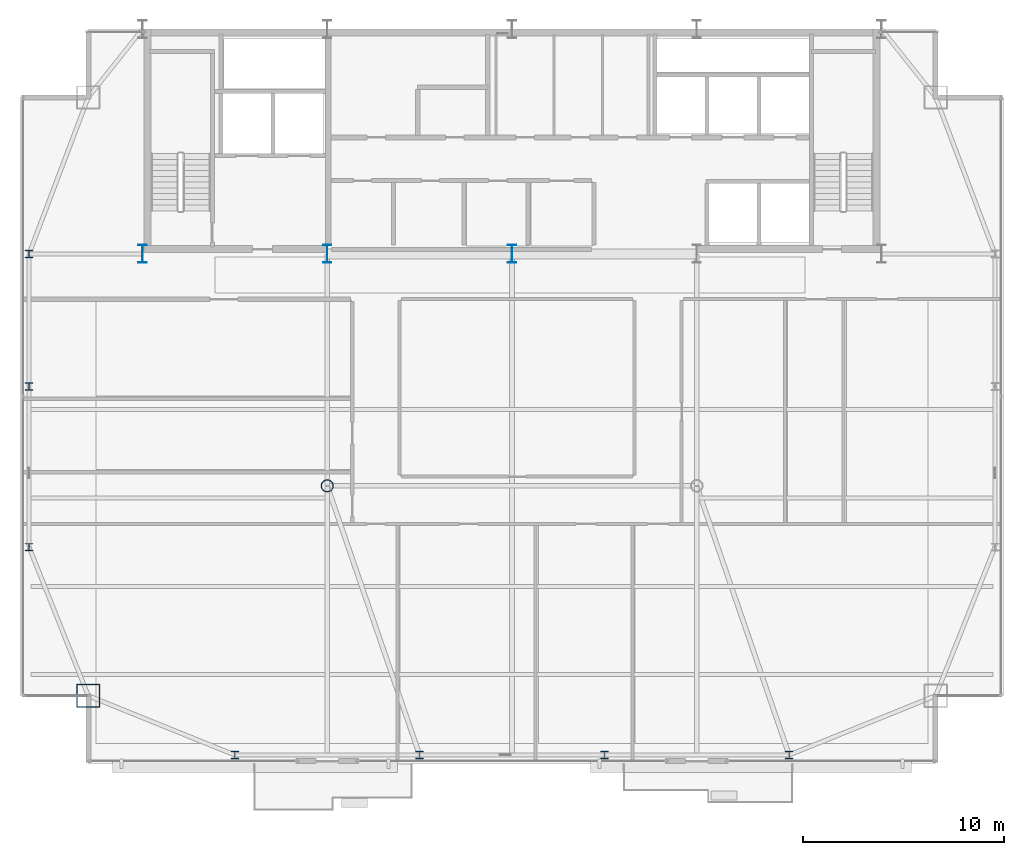
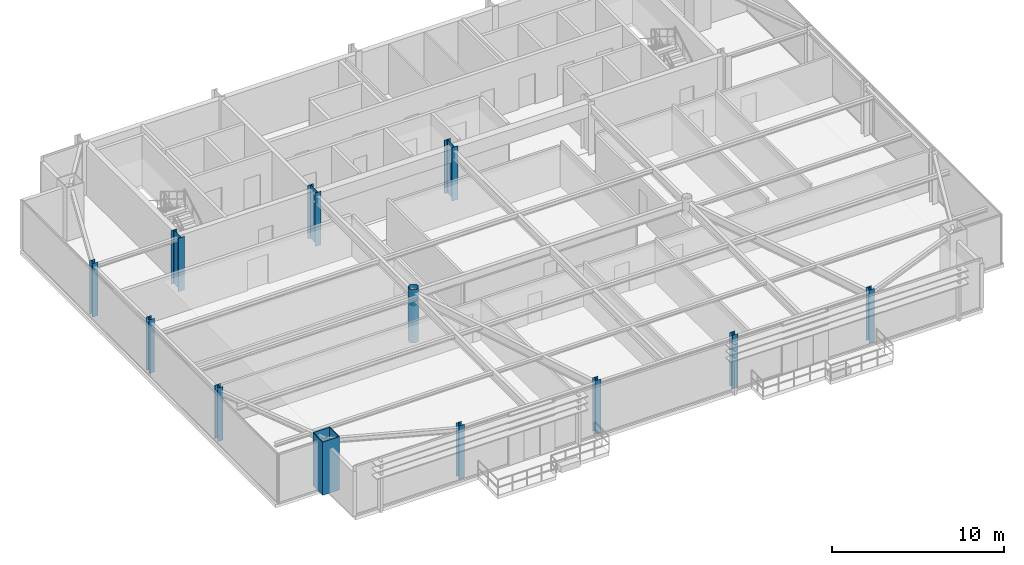
# One storey, part 1 of 30: 12 columns.
"""IFC4 building model written with IfcOpenShell, lengths in metres."""

from ifc_helpers import new_model, si_unit, direction, frame, origin, origin_2d, place, context, subcontext, project, spatial, hollow_rectangle, hollow_circle, i_section, extrude, source, transform, mapped, material, material_profile, profile_set, type_object, type_shapes, element, save


model = new_model("IFC4")

# Units and contexts
model_context = context("Model", 3, precision=1e-05, world=origin(), true_north=direction((0.0, 1.0)))
body_context = subcontext(model_context, "Body", "Model", "MODEL_VIEW")
ifc_project = project(units=[si_unit("LENGTHUNIT", "METRE"), si_unit("AREAUNIT", "SQUARE_METRE"), si_unit("VOLUMEUNIT", "CUBIC_METRE"), si_unit("PLANEANGLEUNIT", "RADIAN"), si_unit("MASSUNIT", "GRAM", prefix="KILO")], contexts=[model_context])

# Site, building, storey
site_placement = place(None, origin())
site = spatial("IfcSite", under=ifc_project, at=site_placement, CompositionType="ELEMENT")
building_placement = place(site_placement, origin())
building = spatial("IfcBuilding", under=site, at=building_placement, Name="Varnel Quay Broadcast Tower", CompositionType="ELEMENT")
storey_placement = place(building_placement, frame((0.0, 0.0, 247.0)))
storey = spatial("IfcBuildingStorey", under=building, at=storey_placement, Name="L61", CompositionType="ELEMENT", Elevation=247.0)

# Columns
ifc_material_1 = material(Name="Structural Steel CSA G40.21 350WT", Category="steel")
ifc_material_profile_1 = material_profile(ifc_material_1, i_section(OverallWidth=0.39990234375, OverallDepth=0.89990234375, WebThickness=0.01611328125, FlangeThickness=0.028076171875, FilletRadius=0.01611328125, at=origin_2d()), Name="WWF900X309")
ifc_profile_set_1 = profile_set([ifc_material_profile_1], Name="Structural Steel CSA G40.21 350WT")
column_type_1 = type_object("IfcColumnType", Name="Col_WWF900X309", PredefinedType="COLUMN", material=ifc_profile_set_1)
shared_shape_1 = source(origin(), body_context, "Body", "SweptSolid", [
    extrude(i_section(OverallWidth=0.39990234375, OverallDepth=0.89990234375, WebThickness=0.01611328125, FlangeThickness=0.028076171875, FilletRadius=0.01611328125, at=origin_2d()), origin(), (0.0, 0.0, 1.0), 3.800048828125),
])
type_shapes(column_type_1, [shared_shape_1])
for number, where, z_axis, x_axis, name in (
    (1, (15.60009765625, 35.60009765625, 0.0), (0.0, 0.0, 1.0), (1.0, 0.0, 0.0), "L61 Column CC-S1"),
    (2, (24.800048828125, 35.60009765625, 0.0), (0.0, 0.0, 1.0), (1.0, 0.0, 0.0), "L61 Column CC-S2"),
    (3, (34.0, 35.60009765625, 0.0), (0.0, 0.0, 1.0), (1.0, 0.0, 0.0), "L61 Column CC-S3"),
):
    element("IfcColumn", number, at=place(storey_placement, frame(where, z_axis=z_axis, x_axis=x_axis)), inside=storey, type_object=column_type_1, Name=name, PredefinedType="COLUMN", context=body_context, shape_type="MappedRepresentation", body=[
        mapped(shared_shape_1, transform((0.0, 0.0, 0.0), x_axis=(1.0, 0.0, 0.0), y_axis=(0.0, 1.0, 0.0), z_axis=(0.0, 0.0, 1.0), scale=1.0)),
    ])
ifc_material_profile_2 = material_profile(ifc_material_1, hollow_rectangle(XDim=1.14990234375, YDim=1.14990234375, WallThickness=0.044921875, at=origin_2d()), Name="BOX1150X1150X45")
ifc_profile_set_2 = profile_set([ifc_material_profile_2], Name="Structural Steel CSA G40.21 350WT")
column_type_2 = type_object("IfcColumnType", Name="Col_BOX1150X1150X45", PredefinedType="COLUMN", material=ifc_profile_set_2)
shared_shape_2 = source(origin(), body_context, "Body", "SweptSolid", [
    extrude(hollow_rectangle(XDim=1.14990234375, YDim=1.14990234375, WallThickness=0.044921875, at=origin_2d()), origin(), (0.0, 0.0, 1.0), 3.800048828125),
])
type_shapes(column_type_2, [shared_shape_2])
column_1_placement = place(storey_placement, frame((12.89990234375, 13.60009765625, 0.0), z_axis=(0.0, 0.0, 1.0), x_axis=(1.0, 0.0, 0.0)))
element("IfcColumn", 4, at=column_1_placement, inside=storey, type_object=column_type_2, Name="L61 Column MC-SW", PredefinedType="COLUMN", context=body_context, shape_type="MappedRepresentation", body=[
    mapped(shared_shape_2, transform((0.0, 0.0, 0.0), x_axis=(1.0, 0.0, 0.0), y_axis=(0.0, 1.0, 0.0), z_axis=(0.0, 0.0, 1.0), scale=1.0)),
])
ifc_material_2 = material(Name="Structural Steel CSA G40.21 350W", Category="steel")
ifc_material_profile_3 = material_profile(ifc_material_2, i_section(OverallWidth=0.368896484375, OverallDepth=0.35595703125, WebThickness=0.01123046875, FlangeThickness=0.01806640625, FilletRadius=0.01611328125, at=origin_2d()), Name="W360X134")
ifc_profile_set_3 = profile_set([ifc_material_profile_3], Name="Structural Steel CSA G40.21 350W")
column_type_3 = type_object("IfcColumnType", Name="Col_W360X134", PredefinedType="COLUMN", material=ifc_profile_set_3)
shared_shape_3 = source(origin(), body_context, "Body", "SweptSolid", [
    extrude(i_section(OverallWidth=0.368896484375, OverallDepth=0.35595703125, WebThickness=0.01123046875, FlangeThickness=0.01806640625, FilletRadius=0.01611328125, at=origin_2d()), origin(), (0.0, 0.0, 1.0), 3.800048828125),
])
type_shapes(column_type_3, [shared_shape_3])
for number, where, z_axis, x_axis, name in (
    (5, (20.199951171875, 10.64990234375, 0.0), (0.0, 0.0, 1.0), (1.0, 0.0, 0.0), "L61 Column TC-S1"),
    (6, (29.39990234375, 10.64990234375, 0.0), (0.0, 0.0, 1.0), (1.0, 0.0, 0.0), "L61 Column TC-S2"),
    (7, (38.60009765625, 10.64990234375, 0.0), (0.0, 0.0, 1.0), (1.0, 0.0, 0.0), "L61 Column TC-S3"),
    (8, (47.800048828125, 10.64990234375, 0.0), (0.0, 0.0, 1.0), (1.0, 0.0, 0.0), "L61 Column TC-S4"),
    (9, (9.949951171875, 21.0, 0.0), (0.0, 0.0, 1.0), (1.0, 0.0, 0.0), "L61 Column TC-W1"),
    (10, (9.949951171875, 29.0, 0.0), (0.0, 0.0, 1.0), (1.0, 0.0, 0.0), "L61 Column TC-W2"),
    (11, (9.949951171875, 35.60009765625, 0.0), (0.0, 0.0, 1.0), (1.0, 0.0, 0.0), "L61 Column TC-W3"),
):
    element("IfcColumn", number, at=place(storey_placement, frame(where, z_axis=z_axis, x_axis=x_axis)), inside=storey, type_object=column_type_3, Name=name, PredefinedType="COLUMN", context=body_context, shape_type="MappedRepresentation", body=[
        mapped(shared_shape_3, transform((0.0, 0.0, 0.0), x_axis=(1.0, 0.0, 0.0), y_axis=(0.0, 1.0, 0.0), z_axis=(0.0, 0.0, 1.0), scale=1.0)),
    ])
ifc_material_profile_4 = material_profile(ifc_material_2, hollow_circle(Radius=0.304931640625, WallThickness=0.02490234375, at=origin_2d()), Name="CHS610X25")
ifc_profile_set_4 = profile_set([ifc_material_profile_4], Name="Structural Steel CSA G40.21 350W")
column_type_4 = type_object("IfcColumnType", Name="Col_CHS610X25", PredefinedType="COLUMN", material=ifc_profile_set_4)
shared_shape_4 = source(origin(), body_context, "Body", "SweptSolid", [
    extrude(hollow_circle(Radius=0.304931640625, WallThickness=0.02490234375, at=origin_2d()), origin(), (0.0, 0.0, 1.0), 3.800048828125),
])
type_shapes(column_type_4, [shared_shape_4])
column_2_placement = place(storey_placement, frame((24.800048828125, 24.050048828125, 0.0), z_axis=(0.0, 0.0, 1.0), x_axis=(1.0, 0.0, 0.0)))
element("IfcColumn", 12, at=column_2_placement, inside=storey, type_object=column_type_4, Name="L61 Column IC-01", PredefinedType="COLUMN", context=body_context, shape_type="MappedRepresentation", body=[
    mapped(shared_shape_4, transform((0.0, 0.0, 0.0), x_axis=(1.0, 0.0, 0.0), y_axis=(0.0, 1.0, 0.0), z_axis=(0.0, 0.0, 1.0), scale=1.0)),
])

save(model, "model.ifc")
